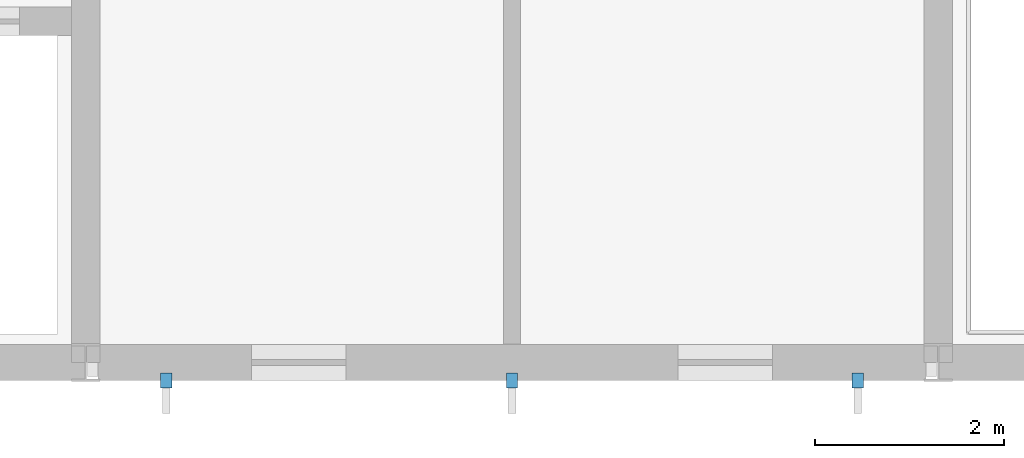
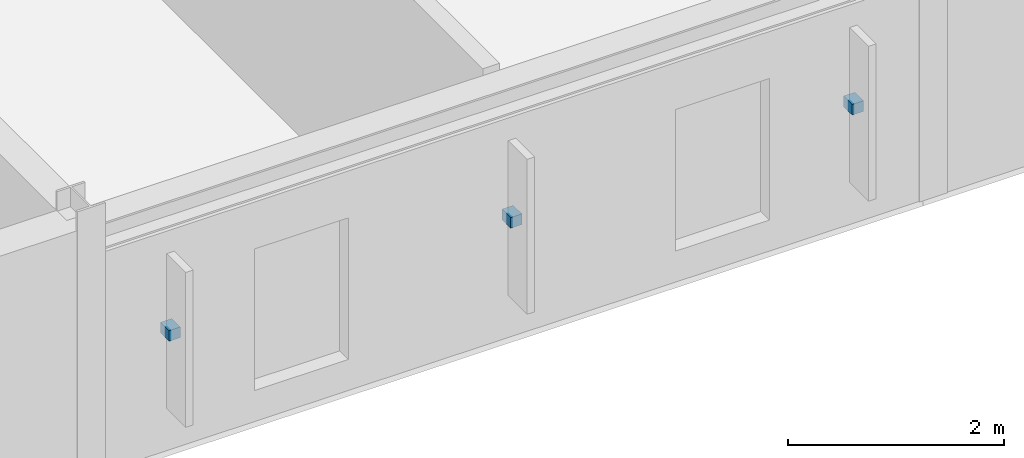
# One storey, part 16 of 20: 3 discrete accessories.
"""IFC4 building model written with IfcOpenShell, lengths in metres."""

from ifc_helpers import new_model, si_unit, direction, frame, origin, origin_2d, place, context, subcontext, project, spatial, rectangle, extrude, material, type_object, element, save


model = new_model("IFC4")

# Units and contexts
model_context = context("Model", 3, precision=1e-05, world=origin(), true_north=direction((0.0, 1.0)))
body_context = subcontext(model_context, "Body", "Model", "MODEL_VIEW")
ifc_project = project(units=[si_unit("LENGTHUNIT", "METRE"), si_unit("AREAUNIT", "SQUARE_METRE"), si_unit("VOLUMEUNIT", "CUBIC_METRE"), si_unit("PLANEANGLEUNIT", "RADIAN"), si_unit("MASSUNIT", "GRAM", prefix="KILO")], contexts=[model_context])

# Site, building, storey
site_placement = place(None, origin())
site = spatial("IfcSite", under=ifc_project, at=site_placement, CompositionType="ELEMENT")
building_placement = place(site_placement, origin())
building = spatial("IfcBuilding", under=site, at=building_placement, Name="Palais des Congres Ocreval", CompositionType="ELEMENT")
storey_placement = place(building_placement, frame((0.0, 0.0, 20.639892578125)))
storey = spatial("IfcBuildingStorey", under=building, at=storey_placement, Name="L06", CompositionType="ELEMENT", Elevation=20.639892578125)

# Discrete accessories
ifc_material = material(Name="Steel S355", Category="steel")
discrete_accessory_type = type_object("IfcDiscreteAccessoryType", Name="Stainless Brise-Soleil Fixing Bracket", PredefinedType="BRACKET", material=ifc_material)
for number, where, z_axis, x_axis, name in (
    (1, (53.14990234375, -0.18994140625, 1.2900390625), (0.0, 0.0, 1.0), (0.0, -1.0, 0.0), "Celosia Fixing Bracket BK01"),
    (2, (49.5, -0.18994140625, 1.2900390625), (0.0, 0.0, 1.0), (0.0, -1.0, 0.0), "Celosia Fixing Bracket BK01"),
    (3, (45.85009765625, -0.18994140625, 1.2900390625), (0.0, 0.0, 1.0), (0.0, -1.0, 0.0), "Celosia Fixing Bracket BK01"),
):
    element("IfcDiscreteAccessory", number, at=place(storey_placement, frame(where, z_axis=z_axis, x_axis=x_axis)), inside=storey, type_object=discrete_accessory_type, Name=name, PredefinedType="BRACKET", context=body_context, shape_type="SweptSolid", body=[
        extrude(rectangle(XDim=0.159912109375, YDim=0.1201171875, at=origin_2d()), origin(), (0.0, 0.0, 1.0), 0.1201171875),
    ])

save(model, "model.ifc")
